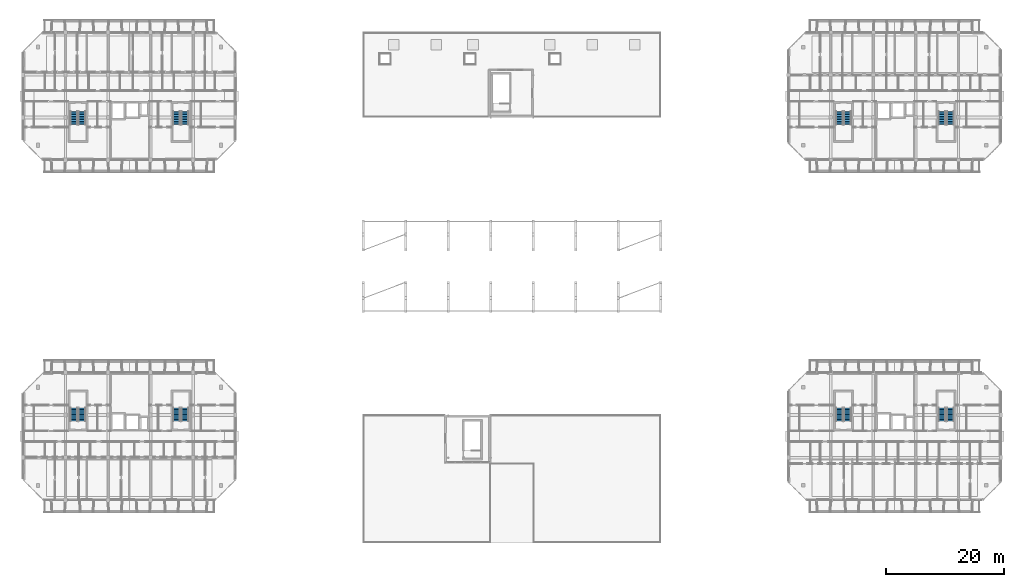
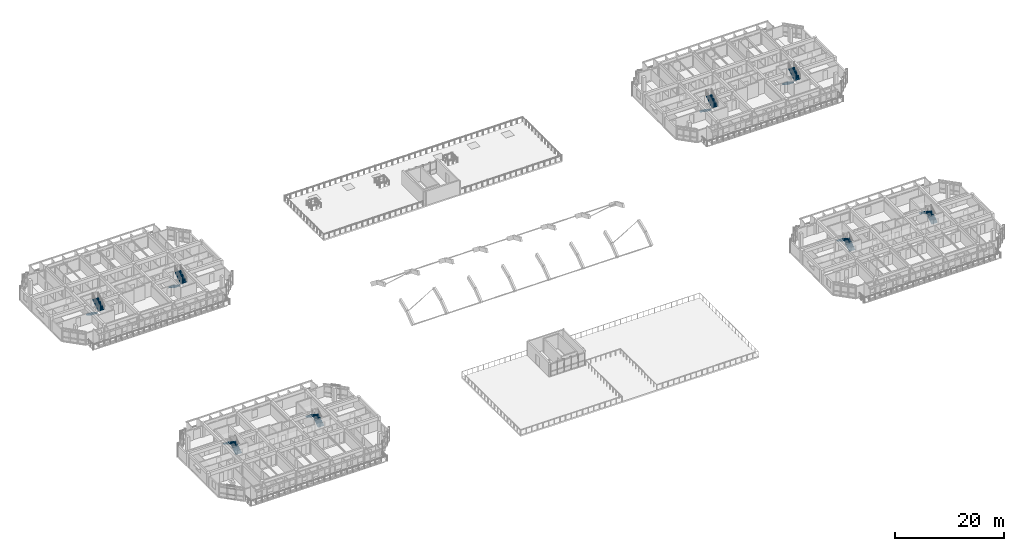
# One storey, part 47 of 64: 16 stair flights, 8 elements without a shape of their own.
"""IFC4 building model written with IfcOpenShell, lengths in metres."""

from ifc_helpers import new_model, si_unit, direction, frame, origin, place, context, subcontext, project, spatial, polyline, outline, extrude, material, type_object, element, aggregate, save


model = new_model("IFC4")

# Units and contexts
model_context = context("Model", 3, precision=1e-05, world=origin(), true_north=direction((0.0, 1.0)))
body_context = subcontext(model_context, "Body", "Model", "MODEL_VIEW")
ifc_project = project(units=[si_unit("LENGTHUNIT", "METRE"), si_unit("AREAUNIT", "SQUARE_METRE"), si_unit("VOLUMEUNIT", "CUBIC_METRE"), si_unit("PLANEANGLEUNIT", "RADIAN"), si_unit("MASSUNIT", "GRAM", prefix="KILO")], contexts=[model_context])

# Site, building, storey
site_placement = place(None, origin())
site = spatial("IfcSite", under=ifc_project, at=site_placement, CompositionType="ELEMENT")
building_placement = place(site_placement, origin())
building = spatial("IfcBuilding", under=site, at=building_placement, Name="Ochrevale Crest", CompositionType="ELEMENT")
storey_placement = place(building_placement, frame((0.0, 0.0, 8.699951171875)))
storey = spatial("IfcBuildingStorey", under=building, at=storey_placement, Name="L02", CompositionType="ELEMENT", Elevation=8.699951171875)

# Stair, stair flights
ifc_material = material(Name="Precast concrete C40/50", Category="concrete")
stair_type = type_object("IfcStairType", Name="ST-CORE-DOG", PredefinedType="HALF_TURN_STAIR", material=ifc_material)
stair_1_placement = place(storey_placement, origin())
stair_1 = element("IfcStair", 1, at=stair_1_placement, inside=storey, type_object=stair_type, Name="L02 Block A Fire Stair 1", PredefinedType="HALF_TURN_STAIR")
stair_flight_type = type_object("IfcStairFlightType", Name="SFL-CORE-125", PredefinedType="STRAIGHT", material=ifc_material)
stair_flight_1_placement = place(storey_placement, frame((10.02490234375, 27.77490234375, 0.0), z_axis=(0.0, 0.0, 1.0), x_axis=(0.0, 1.0, 0.0)))
stair_flight_1 = element("IfcStairFlight", 2, at=stair_flight_1_placement, type_object=stair_flight_type, Name="ST-A1 flight 1", NumberOfRisers=9, NumberOfTreads=8, PredefinedType="STRAIGHT", RiserHeight=0.175, TreadLength=0.28, context=body_context, shape_type="SweptSolid", body=[
    extrude(outline(polyline([(0.0, 0.0), (0.0, 0.175048828125), (0.280029296875, 0.175048828125), (0.280029296875, 0.35009765625), (0.56005859375, 0.35009765625), (0.56005859375, 0.52490234375), (0.840087890625, 0.52490234375), (0.840087890625, 0.699951171875), (1.1201171875, 0.699951171875), (1.1201171875, 0.875), (1.39990234375, 0.875), (1.39990234375, 1.050048828125), (1.679931640625, 1.050048828125), (1.679931640625, 1.22509765625), (1.9599609375, 1.22509765625), (1.9599609375, 1.39990234375), (2.239990234375, 1.39990234375), (2.239990234375, 1.574951171875), (2.239990234375, 1.22314453125), (0.28271484375, 0.0), (0.0, 0.0)])), frame((0.0, 0.625, 0.0), z_axis=(0.0, -1.0, 0.0), x_axis=(1.0, 0.0, 0.0)), (0.0, 0.0, 1.0), 1.25),
])
stair_flight_2_placement = place(storey_placement, frame((8.625, 30.014892578125, 1.574951171875), z_axis=(0.0, 0.0, 1.0), x_axis=(0.0, -1.0, 0.0)))
stair_flight_2 = element("IfcStairFlight", 3, at=stair_flight_2_placement, type_object=stair_flight_type, Name="ST-A1 flight 2", NumberOfRisers=9, NumberOfTreads=8, PredefinedType="STRAIGHT", RiserHeight=0.175, TreadLength=0.28, context=body_context, shape_type="SweptSolid", body=[
    extrude(outline(polyline([(0.0, 0.0), (0.0, 0.175048828125), (0.280029296875, 0.175048828125), (0.280029296875, 0.35009765625), (0.56005859375, 0.35009765625), (0.56005859375, 0.52490234375), (0.840087890625, 0.52490234375), (0.840087890625, 0.699951171875), (1.1201171875, 0.699951171875), (1.1201171875, 0.875), (1.39990234375, 0.875), (1.39990234375, 1.050048828125), (1.679931640625, 1.050048828125), (1.679931640625, 1.22509765625), (1.9599609375, 1.22509765625), (1.9599609375, 1.39990234375), (2.239990234375, 1.39990234375), (2.239990234375, 1.574951171875), (2.239990234375, 1.22314453125), (0.28271484375, 0.0), (0.0, 0.0)])), frame((0.0, 0.625, 0.0), z_axis=(0.0, -1.0, 0.0), x_axis=(1.0, 0.0, 0.0)), (0.0, 0.0, 1.0), 1.25),
])
aggregate(stair_1, [stair_flight_1, stair_flight_2])

stair_2_placement = place(storey_placement, origin())
stair_2 = element("IfcStair", 4, at=stair_2_placement, inside=storey, type_object=stair_type, Name="L02 Block A Fire Stair 2", PredefinedType="HALF_TURN_STAIR")
stair_flight_3_placement = place(storey_placement, frame((27.425048828125, 27.77490234375, 0.0), z_axis=(0.0, 0.0, 1.0), x_axis=(0.0, 1.0, 0.0)))
stair_flight_3 = element("IfcStairFlight", 5, at=stair_flight_3_placement, type_object=stair_flight_type, Name="ST-A2 flight 1", NumberOfRisers=9, NumberOfTreads=8, PredefinedType="STRAIGHT", RiserHeight=0.175, TreadLength=0.28, context=body_context, shape_type="SweptSolid", body=[
    extrude(outline(polyline([(0.0, 0.0), (0.0, 0.175048828125), (0.280029296875, 0.175048828125), (0.280029296875, 0.35009765625), (0.56005859375, 0.35009765625), (0.56005859375, 0.52490234375), (0.840087890625, 0.52490234375), (0.840087890625, 0.699951171875), (1.1201171875, 0.699951171875), (1.1201171875, 0.875), (1.39990234375, 0.875), (1.39990234375, 1.050048828125), (1.679931640625, 1.050048828125), (1.679931640625, 1.22509765625), (1.9599609375, 1.22509765625), (1.9599609375, 1.39990234375), (2.239990234375, 1.39990234375), (2.239990234375, 1.574951171875), (2.239990234375, 1.22314453125), (0.28271484375, 0.0), (0.0, 0.0)])), frame((0.0, 0.625, 0.0), z_axis=(0.0, -1.0, 0.0), x_axis=(1.0, 0.0, 0.0)), (0.0, 0.0, 1.0), 1.25),
])
stair_flight_4_placement = place(storey_placement, frame((26.02490234375, 30.014892578125, 1.574951171875), z_axis=(0.0, 0.0, 1.0), x_axis=(0.0, -1.0, 0.0)))
stair_flight_4 = element("IfcStairFlight", 6, at=stair_flight_4_placement, type_object=stair_flight_type, Name="ST-A2 flight 2", NumberOfRisers=9, NumberOfTreads=8, PredefinedType="STRAIGHT", RiserHeight=0.175, TreadLength=0.28, context=body_context, shape_type="SweptSolid", body=[
    extrude(outline(polyline([(0.0, 0.0), (0.0, 0.175048828125), (0.280029296875, 0.175048828125), (0.280029296875, 0.35009765625), (0.56005859375, 0.35009765625), (0.56005859375, 0.52490234375), (0.840087890625, 0.52490234375), (0.840087890625, 0.699951171875), (1.1201171875, 0.699951171875), (1.1201171875, 0.875), (1.39990234375, 0.875), (1.39990234375, 1.050048828125), (1.679931640625, 1.050048828125), (1.679931640625, 1.22509765625), (1.9599609375, 1.22509765625), (1.9599609375, 1.39990234375), (2.239990234375, 1.39990234375), (2.239990234375, 1.574951171875), (2.239990234375, 1.22314453125), (0.28271484375, 0.0), (0.0, 0.0)])), frame((0.0, 0.625, 0.0), z_axis=(0.0, -1.0, 0.0), x_axis=(1.0, 0.0, 0.0)), (0.0, 0.0, 1.0), 1.25),
])
aggregate(stair_2, [stair_flight_3, stair_flight_4])

stair_3_placement = place(storey_placement, origin())
stair_3 = element("IfcStair", 7, at=stair_3_placement, inside=storey, type_object=stair_type, Name="L02 Block B Fire Stair 1", PredefinedType="HALF_TURN_STAIR")
stair_flight_5_placement = place(storey_placement, frame((8.625, 80.22509765625, 0.0), z_axis=(0.0, 0.0, 1.0), x_axis=(0.0, -1.0, 0.0)))
stair_flight_5 = element("IfcStairFlight", 8, at=stair_flight_5_placement, type_object=stair_flight_type, Name="ST-B1 flight 1", NumberOfRisers=9, NumberOfTreads=8, PredefinedType="STRAIGHT", RiserHeight=0.175, TreadLength=0.28, context=body_context, shape_type="SweptSolid", body=[
    extrude(outline(polyline([(0.0, 0.0), (0.0, 0.175048828125), (0.280029296875, 0.175048828125), (0.280029296875, 0.35009765625), (0.56005859375, 0.35009765625), (0.56005859375, 0.52490234375), (0.840087890625, 0.52490234375), (0.840087890625, 0.699951171875), (1.1201171875, 0.699951171875), (1.1201171875, 0.875), (1.39990234375, 0.875), (1.39990234375, 1.050048828125), (1.679931640625, 1.050048828125), (1.679931640625, 1.22509765625), (1.9599609375, 1.22509765625), (1.9599609375, 1.39990234375), (2.239990234375, 1.39990234375), (2.239990234375, 1.574951171875), (2.239990234375, 1.22314453125), (0.28271484375, 0.0), (0.0, 0.0)])), frame((0.0, 0.625, 0.0), z_axis=(0.0, -1.0, 0.0), x_axis=(1.0, 0.0, 0.0)), (0.0, 0.0, 1.0), 1.25),
])
stair_flight_6_placement = place(storey_placement, frame((10.02490234375, 77.985107421875, 1.574951171875), z_axis=(0.0, 0.0, 1.0), x_axis=(0.0, 1.0, 0.0)))
stair_flight_6 = element("IfcStairFlight", 9, at=stair_flight_6_placement, type_object=stair_flight_type, Name="ST-B1 flight 2", NumberOfRisers=9, NumberOfTreads=8, PredefinedType="STRAIGHT", RiserHeight=0.175, TreadLength=0.28, context=body_context, shape_type="SweptSolid", body=[
    extrude(outline(polyline([(0.0, 0.0), (0.0, 0.175048828125), (0.280029296875, 0.175048828125), (0.280029296875, 0.35009765625), (0.56005859375, 0.35009765625), (0.56005859375, 0.52490234375), (0.840087890625, 0.52490234375), (0.840087890625, 0.699951171875), (1.1201171875, 0.699951171875), (1.1201171875, 0.875), (1.39990234375, 0.875), (1.39990234375, 1.050048828125), (1.679931640625, 1.050048828125), (1.679931640625, 1.22509765625), (1.9599609375, 1.22509765625), (1.9599609375, 1.39990234375), (2.239990234375, 1.39990234375), (2.239990234375, 1.574951171875), (2.239990234375, 1.22314453125), (0.28271484375, 0.0), (0.0, 0.0)])), frame((0.0, 0.625, 0.0), z_axis=(0.0, -1.0, 0.0), x_axis=(1.0, 0.0, 0.0)), (0.0, 0.0, 1.0), 1.25),
])
aggregate(stair_3, [stair_flight_5, stair_flight_6])

stair_4_placement = place(storey_placement, origin())
stair_4 = element("IfcStair", 10, at=stair_4_placement, inside=storey, type_object=stair_type, Name="L02 Block B Fire Stair 2", PredefinedType="HALF_TURN_STAIR")
stair_flight_7_placement = place(storey_placement, frame((26.02490234375, 80.22509765625, 0.0), z_axis=(0.0, 0.0, 1.0), x_axis=(0.0, -1.0, 0.0)))
stair_flight_7 = element("IfcStairFlight", 11, at=stair_flight_7_placement, type_object=stair_flight_type, Name="ST-B2 flight 1", NumberOfRisers=9, NumberOfTreads=8, PredefinedType="STRAIGHT", RiserHeight=0.175, TreadLength=0.28, context=body_context, shape_type="SweptSolid", body=[
    extrude(outline(polyline([(0.0, 0.0), (0.0, 0.175048828125), (0.280029296875, 0.175048828125), (0.280029296875, 0.35009765625), (0.56005859375, 0.35009765625), (0.56005859375, 0.52490234375), (0.840087890625, 0.52490234375), (0.840087890625, 0.699951171875), (1.1201171875, 0.699951171875), (1.1201171875, 0.875), (1.39990234375, 0.875), (1.39990234375, 1.050048828125), (1.679931640625, 1.050048828125), (1.679931640625, 1.22509765625), (1.9599609375, 1.22509765625), (1.9599609375, 1.39990234375), (2.239990234375, 1.39990234375), (2.239990234375, 1.574951171875), (2.239990234375, 1.22314453125), (0.28271484375, 0.0), (0.0, 0.0)])), frame((0.0, 0.625, 0.0), z_axis=(0.0, -1.0, 0.0), x_axis=(1.0, 0.0, 0.0)), (0.0, 0.0, 1.0), 1.25),
])
stair_flight_8_placement = place(storey_placement, frame((27.425048828125, 77.985107421875, 1.574951171875), z_axis=(0.0, 0.0, 1.0), x_axis=(0.0, 1.0, 0.0)))
stair_flight_8 = element("IfcStairFlight", 12, at=stair_flight_8_placement, type_object=stair_flight_type, Name="ST-B2 flight 2", NumberOfRisers=9, NumberOfTreads=8, PredefinedType="STRAIGHT", RiserHeight=0.175, TreadLength=0.28, context=body_context, shape_type="SweptSolid", body=[
    extrude(outline(polyline([(0.0, 0.0), (0.0, 0.175048828125), (0.280029296875, 0.175048828125), (0.280029296875, 0.35009765625), (0.56005859375, 0.35009765625), (0.56005859375, 0.52490234375), (0.840087890625, 0.52490234375), (0.840087890625, 0.699951171875), (1.1201171875, 0.699951171875), (1.1201171875, 0.875), (1.39990234375, 0.875), (1.39990234375, 1.050048828125), (1.679931640625, 1.050048828125), (1.679931640625, 1.22509765625), (1.9599609375, 1.22509765625), (1.9599609375, 1.39990234375), (2.239990234375, 1.39990234375), (2.239990234375, 1.574951171875), (2.239990234375, 1.22314453125), (0.28271484375, 0.0), (0.0, 0.0)])), frame((0.0, 0.625, 0.0), z_axis=(0.0, -1.0, 0.0), x_axis=(1.0, 0.0, 0.0)), (0.0, 0.0, 1.0), 1.25),
])
aggregate(stair_4, [stair_flight_7, stair_flight_8])

stair_5_placement = place(storey_placement, origin())
stair_5 = element("IfcStair", 13, at=stair_5_placement, inside=storey, type_object=stair_type, Name="L02 Block C Fire Stair 1", PredefinedType="HALF_TURN_STAIR")
stair_flight_9_placement = place(storey_placement, frame((139.625, 27.77490234375, 0.0), z_axis=(0.0, 0.0, 1.0), x_axis=(0.0, 1.0, 0.0)))
stair_flight_9 = element("IfcStairFlight", 14, at=stair_flight_9_placement, type_object=stair_flight_type, Name="ST-C1 flight 1", NumberOfRisers=9, NumberOfTreads=8, PredefinedType="STRAIGHT", RiserHeight=0.175, TreadLength=0.28, context=body_context, shape_type="SweptSolid", body=[
    extrude(outline(polyline([(0.0, 0.0), (0.0, 0.175048828125), (0.280029296875, 0.175048828125), (0.280029296875, 0.35009765625), (0.56005859375, 0.35009765625), (0.56005859375, 0.52490234375), (0.840087890625, 0.52490234375), (0.840087890625, 0.699951171875), (1.1201171875, 0.699951171875), (1.1201171875, 0.875), (1.39990234375, 0.875), (1.39990234375, 1.050048828125), (1.679931640625, 1.050048828125), (1.679931640625, 1.22509765625), (1.9599609375, 1.22509765625), (1.9599609375, 1.39990234375), (2.239990234375, 1.39990234375), (2.239990234375, 1.574951171875), (2.239990234375, 1.22314453125), (0.28271484375, 0.0), (0.0, 0.0)])), frame((0.0, 0.625, 0.0), z_axis=(0.0, -1.0, 0.0), x_axis=(1.0, 0.0, 0.0)), (0.0, 0.0, 1.0), 1.25),
])
stair_flight_10_placement = place(storey_placement, frame((138.22509765625, 30.014892578125, 1.574951171875), z_axis=(0.0, 0.0, 1.0), x_axis=(0.0, -1.0, 0.0)))
stair_flight_10 = element("IfcStairFlight", 15, at=stair_flight_10_placement, type_object=stair_flight_type, Name="ST-C1 flight 2", NumberOfRisers=9, NumberOfTreads=8, PredefinedType="STRAIGHT", RiserHeight=0.175, TreadLength=0.28, context=body_context, shape_type="SweptSolid", body=[
    extrude(outline(polyline([(0.0, 0.0), (0.0, 0.175048828125), (0.280029296875, 0.175048828125), (0.280029296875, 0.35009765625), (0.56005859375, 0.35009765625), (0.56005859375, 0.52490234375), (0.840087890625, 0.52490234375), (0.840087890625, 0.699951171875), (1.1201171875, 0.699951171875), (1.1201171875, 0.875), (1.39990234375, 0.875), (1.39990234375, 1.050048828125), (1.679931640625, 1.050048828125), (1.679931640625, 1.22509765625), (1.9599609375, 1.22509765625), (1.9599609375, 1.39990234375), (2.239990234375, 1.39990234375), (2.239990234375, 1.574951171875), (2.239990234375, 1.22314453125), (0.28271484375, 0.0), (0.0, 0.0)])), frame((0.0, 0.625, 0.0), z_axis=(0.0, -1.0, 0.0), x_axis=(1.0, 0.0, 0.0)), (0.0, 0.0, 1.0), 1.25),
])
aggregate(stair_5, [stair_flight_9, stair_flight_10])

stair_6_placement = place(storey_placement, origin())
stair_6 = element("IfcStair", 16, at=stair_6_placement, inside=storey, type_object=stair_type, Name="L02 Block C Fire Stair 2", PredefinedType="HALF_TURN_STAIR")
stair_flight_11_placement = place(storey_placement, frame((157.02490234375, 27.77490234375, 0.0), z_axis=(0.0, 0.0, 1.0), x_axis=(0.0, 1.0, 0.0)))
stair_flight_11 = element("IfcStairFlight", 17, at=stair_flight_11_placement, type_object=stair_flight_type, Name="ST-C2 flight 1", NumberOfRisers=9, NumberOfTreads=8, PredefinedType="STRAIGHT", RiserHeight=0.175, TreadLength=0.28, context=body_context, shape_type="SweptSolid", body=[
    extrude(outline(polyline([(0.0, 0.0), (0.0, 0.175048828125), (0.280029296875, 0.175048828125), (0.280029296875, 0.35009765625), (0.56005859375, 0.35009765625), (0.56005859375, 0.52490234375), (0.840087890625, 0.52490234375), (0.840087890625, 0.699951171875), (1.1201171875, 0.699951171875), (1.1201171875, 0.875), (1.39990234375, 0.875), (1.39990234375, 1.050048828125), (1.679931640625, 1.050048828125), (1.679931640625, 1.22509765625), (1.9599609375, 1.22509765625), (1.9599609375, 1.39990234375), (2.239990234375, 1.39990234375), (2.239990234375, 1.574951171875), (2.239990234375, 1.22314453125), (0.28271484375, 0.0), (0.0, 0.0)])), frame((0.0, 0.625, 0.0), z_axis=(0.0, -1.0, 0.0), x_axis=(1.0, 0.0, 0.0)), (0.0, 0.0, 1.0), 1.25),
])
stair_flight_12_placement = place(storey_placement, frame((155.625, 30.014892578125, 1.574951171875), z_axis=(0.0, 0.0, 1.0), x_axis=(0.0, -1.0, 0.0)))
stair_flight_12 = element("IfcStairFlight", 18, at=stair_flight_12_placement, type_object=stair_flight_type, Name="ST-C2 flight 2", NumberOfRisers=9, NumberOfTreads=8, PredefinedType="STRAIGHT", RiserHeight=0.175, TreadLength=0.28, context=body_context, shape_type="SweptSolid", body=[
    extrude(outline(polyline([(0.0, 0.0), (0.0, 0.175048828125), (0.280029296875, 0.175048828125), (0.280029296875, 0.35009765625), (0.56005859375, 0.35009765625), (0.56005859375, 0.52490234375), (0.840087890625, 0.52490234375), (0.840087890625, 0.699951171875), (1.1201171875, 0.699951171875), (1.1201171875, 0.875), (1.39990234375, 0.875), (1.39990234375, 1.050048828125), (1.679931640625, 1.050048828125), (1.679931640625, 1.22509765625), (1.9599609375, 1.22509765625), (1.9599609375, 1.39990234375), (2.239990234375, 1.39990234375), (2.239990234375, 1.574951171875), (2.239990234375, 1.22314453125), (0.28271484375, 0.0), (0.0, 0.0)])), frame((0.0, 0.625, 0.0), z_axis=(0.0, -1.0, 0.0), x_axis=(1.0, 0.0, 0.0)), (0.0, 0.0, 1.0), 1.25),
])
aggregate(stair_6, [stair_flight_11, stair_flight_12])

stair_7_placement = place(storey_placement, origin())
stair_7 = element("IfcStair", 19, at=stair_7_placement, inside=storey, type_object=stair_type, Name="L02 Block D Fire Stair 1", PredefinedType="HALF_TURN_STAIR")
stair_flight_13_placement = place(storey_placement, frame((138.22509765625, 80.22509765625, 0.0), z_axis=(0.0, 0.0, 1.0), x_axis=(0.0, -1.0, 0.0)))
stair_flight_13 = element("IfcStairFlight", 20, at=stair_flight_13_placement, type_object=stair_flight_type, Name="ST-D1 flight 1", NumberOfRisers=9, NumberOfTreads=8, PredefinedType="STRAIGHT", RiserHeight=0.175, TreadLength=0.28, context=body_context, shape_type="SweptSolid", body=[
    extrude(outline(polyline([(0.0, 0.0), (0.0, 0.175048828125), (0.280029296875, 0.175048828125), (0.280029296875, 0.35009765625), (0.56005859375, 0.35009765625), (0.56005859375, 0.52490234375), (0.840087890625, 0.52490234375), (0.840087890625, 0.699951171875), (1.1201171875, 0.699951171875), (1.1201171875, 0.875), (1.39990234375, 0.875), (1.39990234375, 1.050048828125), (1.679931640625, 1.050048828125), (1.679931640625, 1.22509765625), (1.9599609375, 1.22509765625), (1.9599609375, 1.39990234375), (2.239990234375, 1.39990234375), (2.239990234375, 1.574951171875), (2.239990234375, 1.22314453125), (0.28271484375, 0.0), (0.0, 0.0)])), frame((0.0, 0.625, 0.0), z_axis=(0.0, -1.0, 0.0), x_axis=(1.0, 0.0, 0.0)), (0.0, 0.0, 1.0), 1.25),
])
stair_flight_14_placement = place(storey_placement, frame((139.625, 77.985107421875, 1.574951171875), z_axis=(0.0, 0.0, 1.0), x_axis=(0.0, 1.0, 0.0)))
stair_flight_14 = element("IfcStairFlight", 21, at=stair_flight_14_placement, type_object=stair_flight_type, Name="ST-D1 flight 2", NumberOfRisers=9, NumberOfTreads=8, PredefinedType="STRAIGHT", RiserHeight=0.175, TreadLength=0.28, context=body_context, shape_type="SweptSolid", body=[
    extrude(outline(polyline([(0.0, 0.0), (0.0, 0.175048828125), (0.280029296875, 0.175048828125), (0.280029296875, 0.35009765625), (0.56005859375, 0.35009765625), (0.56005859375, 0.52490234375), (0.840087890625, 0.52490234375), (0.840087890625, 0.699951171875), (1.1201171875, 0.699951171875), (1.1201171875, 0.875), (1.39990234375, 0.875), (1.39990234375, 1.050048828125), (1.679931640625, 1.050048828125), (1.679931640625, 1.22509765625), (1.9599609375, 1.22509765625), (1.9599609375, 1.39990234375), (2.239990234375, 1.39990234375), (2.239990234375, 1.574951171875), (2.239990234375, 1.22314453125), (0.28271484375, 0.0), (0.0, 0.0)])), frame((0.0, 0.625, 0.0), z_axis=(0.0, -1.0, 0.0), x_axis=(1.0, 0.0, 0.0)), (0.0, 0.0, 1.0), 1.25),
])
aggregate(stair_7, [stair_flight_13, stair_flight_14])

stair_8_placement = place(storey_placement, origin())
stair_8 = element("IfcStair", 22, at=stair_8_placement, inside=storey, type_object=stair_type, Name="L02 Block D Fire Stair 2", PredefinedType="HALF_TURN_STAIR")
stair_flight_15_placement = place(storey_placement, frame((155.625, 80.22509765625, 0.0), z_axis=(0.0, 0.0, 1.0), x_axis=(0.0, -1.0, 0.0)))
stair_flight_15 = element("IfcStairFlight", 23, at=stair_flight_15_placement, type_object=stair_flight_type, Name="ST-D2 flight 1", NumberOfRisers=9, NumberOfTreads=8, PredefinedType="STRAIGHT", RiserHeight=0.175, TreadLength=0.28, context=body_context, shape_type="SweptSolid", body=[
    extrude(outline(polyline([(0.0, 0.0), (0.0, 0.175048828125), (0.280029296875, 0.175048828125), (0.280029296875, 0.35009765625), (0.56005859375, 0.35009765625), (0.56005859375, 0.52490234375), (0.840087890625, 0.52490234375), (0.840087890625, 0.699951171875), (1.1201171875, 0.699951171875), (1.1201171875, 0.875), (1.39990234375, 0.875), (1.39990234375, 1.050048828125), (1.679931640625, 1.050048828125), (1.679931640625, 1.22509765625), (1.9599609375, 1.22509765625), (1.9599609375, 1.39990234375), (2.239990234375, 1.39990234375), (2.239990234375, 1.574951171875), (2.239990234375, 1.22314453125), (0.28271484375, 0.0), (0.0, 0.0)])), frame((0.0, 0.625, 0.0), z_axis=(0.0, -1.0, 0.0), x_axis=(1.0, 0.0, 0.0)), (0.0, 0.0, 1.0), 1.25),
])
stair_flight_16_placement = place(storey_placement, frame((157.02490234375, 77.985107421875, 1.574951171875), z_axis=(0.0, 0.0, 1.0), x_axis=(0.0, 1.0, 0.0)))
stair_flight_16 = element("IfcStairFlight", 24, at=stair_flight_16_placement, type_object=stair_flight_type, Name="ST-D2 flight 2", NumberOfRisers=9, NumberOfTreads=8, PredefinedType="STRAIGHT", RiserHeight=0.175, TreadLength=0.28, context=body_context, shape_type="SweptSolid", body=[
    extrude(outline(polyline([(0.0, 0.0), (0.0, 0.175048828125), (0.280029296875, 0.175048828125), (0.280029296875, 0.35009765625), (0.56005859375, 0.35009765625), (0.56005859375, 0.52490234375), (0.840087890625, 0.52490234375), (0.840087890625, 0.699951171875), (1.1201171875, 0.699951171875), (1.1201171875, 0.875), (1.39990234375, 0.875), (1.39990234375, 1.050048828125), (1.679931640625, 1.050048828125), (1.679931640625, 1.22509765625), (1.9599609375, 1.22509765625), (1.9599609375, 1.39990234375), (2.239990234375, 1.39990234375), (2.239990234375, 1.574951171875), (2.239990234375, 1.22314453125), (0.28271484375, 0.0), (0.0, 0.0)])), frame((0.0, 0.625, 0.0), z_axis=(0.0, -1.0, 0.0), x_axis=(1.0, 0.0, 0.0)), (0.0, 0.0, 1.0), 1.25),
])
aggregate(stair_8, [stair_flight_15, stair_flight_16])

save(model, "model.ifc")
